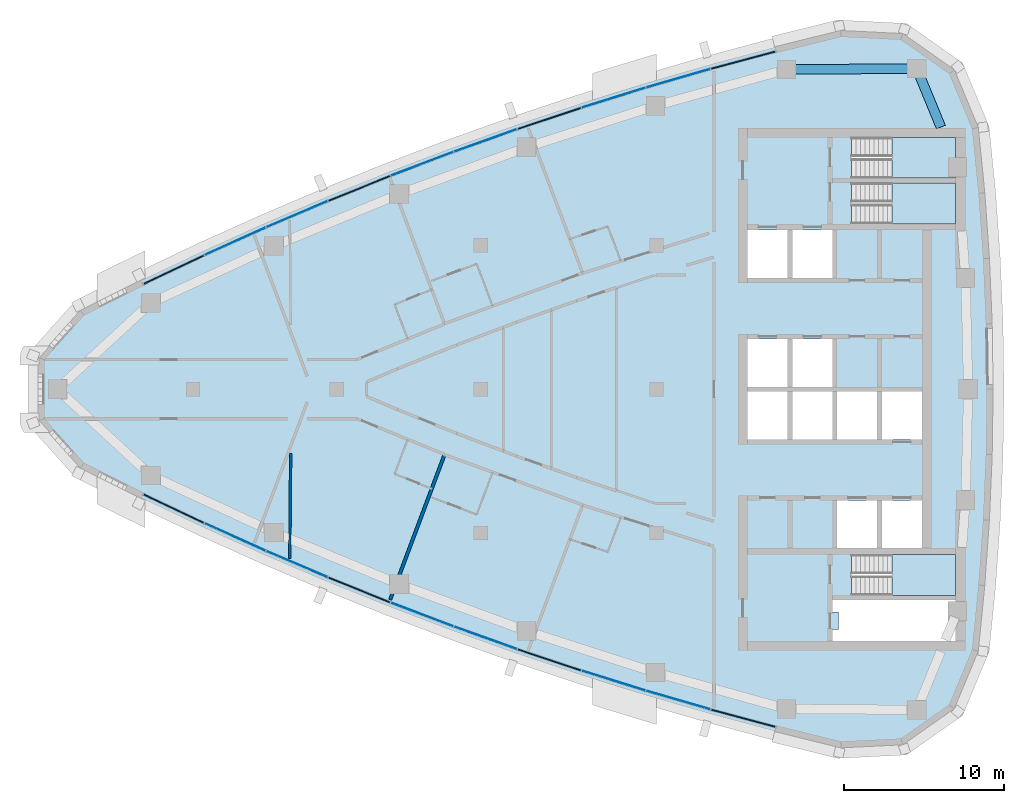
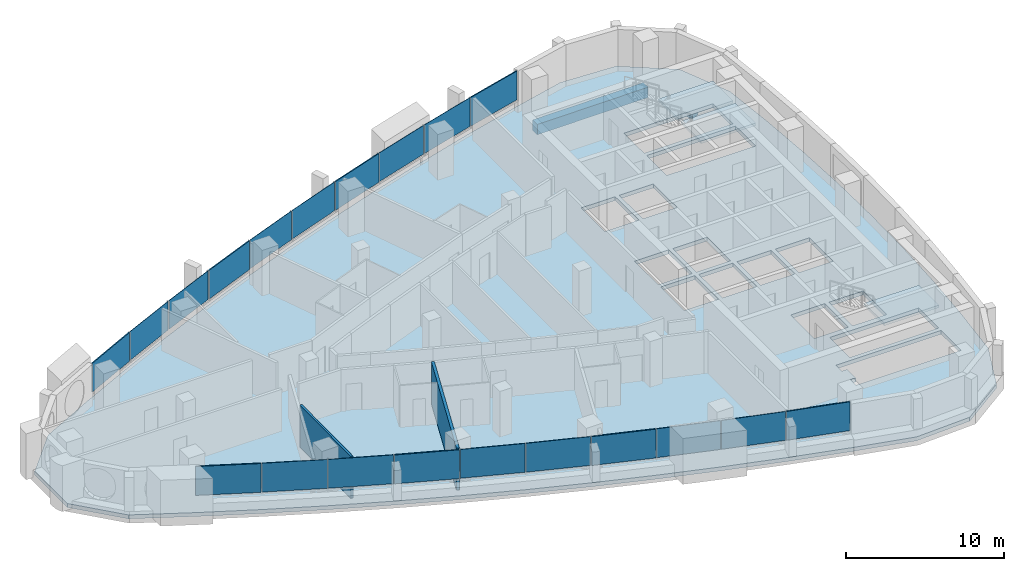
# One storey, part 7 of 15: 20 plates, 4 slabs, 2 beams, 2 walls, 1 opening, 13 elements without a shape of their own.
"""IFC4 building model written with IfcOpenShell, lengths in metres."""

from ifc_helpers import new_model, si_unit, direction, frame, frame_2d, origin, origin_2d, place, context, subcontext, project, spatial, polyline, rectangle, outline, extrude, material, layer, layer_set, material_profile, profile_set, type_object, element, aggregate, save


model = new_model("IFC4")

# Units and contexts
model_context = context("Model", 3, precision=1e-05, world=origin(), true_north=direction((0.0, 1.0)))
body_context = subcontext(model_context, "Body", "Model", "MODEL_VIEW")
ifc_project = project(units=[si_unit("LENGTHUNIT", "METRE"), si_unit("AREAUNIT", "SQUARE_METRE"), si_unit("VOLUMEUNIT", "CUBIC_METRE"), si_unit("PLANEANGLEUNIT", "RADIAN"), si_unit("MASSUNIT", "GRAM", prefix="KILO")], contexts=[model_context])

# Site, building, storey
site_placement = place(None, origin())
site = spatial("IfcSite", under=ifc_project, at=site_placement, CompositionType="ELEMENT")
building_placement = place(site_placement, origin())
building = spatial("IfcBuilding", under=site, at=building_placement, Name="Ostrand Prow Hotel Tower", CompositionType="ELEMENT")
storey_placement = place(building_placement, frame((0.0, 0.0, 242.10009765625)))
storey = spatial("IfcBuildingStorey", under=building, at=storey_placement, Name="L61", CompositionType="ELEMENT", Elevation=242.10009765625)

# Beams
ifc_material_1 = material(Name="Concrete C50/60", Category="concrete")
ifc_material_profile = material_profile(ifc_material_1, rectangle(XDim=0.60009765625, YDim=0.800048828125, at=origin_2d()), Name="RC 600x800")
ifc_profile_set = profile_set([ifc_material_profile], Name="Concrete C50/60")
beam_type = type_object("IfcBeamType", Name="Edge beam 600x800 C50/60", PredefinedType="SPANDREL", material=ifc_profile_set)
beam_1_placement = place(storey_placement, frame((62.7919921875, 16.39990234375, -0.7001953125), z_axis=(-0.380777709221, 0.924666608114, 0.0), x_axis=(-0.924666608114, -0.380777709221, 0.0)))
element("IfcBeam", 1, at=beam_1_placement, inside=storey, type_object=beam_type, Name="Edge beam B5-NE", PredefinedType="SPANDREL", context=body_context, shape_type="SweptSolid", body=[
    extrude(rectangle(XDim=0.60009765625, YDim=0.800048828125, at=origin_2d()), origin(), (0.0, 0.0, 1.0), 3.96044921875),
])
beam_2_placement = place(storey_placement, frame((61.283935546875, 20.06201171875, -0.7001953125), z_axis=(-0.999970657582, -0.007660546678, 0.0), x_axis=(0.007660546678, -0.999970657582, 0.0)))
element("IfcBeam", 2, at=beam_2_placement, inside=storey, type_object=beam_type, Name="Edge beam NE-N1", PredefinedType="SPANDREL", context=body_context, shape_type="SweptSolid", body=[
    extrude(rectangle(XDim=0.60009765625, YDim=0.800048828125, at=origin_2d()), origin(), (0.0, 0.0, 1.0), 8.15869140625),
])

# Curtain wall, plate
ifc_material_2 = material(Name="Insulated glass in bronze anodised frame", Category="glass")
ifc_layer_1 = layer(ifc_material_2, 0.199951171875)
ifc_layer_set_1 = layer_set([ifc_layer_1], Name="Insulated glass in bronze anodised frame")
curtain_wall_type = type_object("IfcCurtainWallType", Name="Strip curtain wall, fritted glass over bronze spandrel", PredefinedType="NOTDEFINED", material=ifc_layer_set_1)
curtain_wall_1_placement = place(storey_placement, origin())
curtain_wall_1 = element("IfcCurtainWall", 3, at=curtain_wall_1_placement, inside=storey, type_object=curtain_wall_type, Name="CW1 run CWS1", PredefinedType="NOTDEFINED")
ifc_material_3 = material(Name="Ceramic-fritted glass", Category="glass")
ifc_layer_2 = layer(ifc_material_3, 0.031982421875)
ifc_layer_set_2 = layer_set([ifc_layer_2], Name="Ceramic-fritted glass")
plate_type_1 = type_object("IfcPlateType", Name="Dot-fritted ceramic glass unit 32 mm", PredefinedType="CURTAIN_PANEL", material=ifc_layer_set_2)
plate_1_placement = place(storey_placement, frame((18.634521484375, -9.249267578125, 1.02001953125), z_axis=(0.0, 0.0, 1.0), x_axis=(0.911823681514, -0.41058199404, 0.0)))
plate_1 = element("IfcPlate", 4, at=plate_1_placement, type_object=plate_type_1, Name="CW1 PN-D panel 2.2", PredefinedType="CURTAIN_PANEL", context=body_context, shape_type="SweptSolid", body=[
    extrude(rectangle(XDim=4.163818359375, YDim=0.031982421875, at=origin_2d()), origin(), (0.0, 0.0, 1.0), 2.22998046875),
])

curtain_wall_2_placement = place(storey_placement, origin())
curtain_wall_2 = element("IfcCurtainWall", 5, at=curtain_wall_2_placement, inside=storey, type_object=curtain_wall_type, Name="CW1 run CWS2", PredefinedType="NOTDEFINED")
plate_2_placement = place(storey_placement, frame((22.502685546875, -10.944580078125, 1.02001953125), z_axis=(0.0, 0.0, 1.0), x_axis=(0.919907070112, -0.392136433347, 0.0)))
plate_2 = element("IfcPlate", 6, at=plate_2_placement, type_object=plate_type_1, Name="CW1 PN-D panel 1.2", PredefinedType="CURTAIN_PANEL", context=body_context, shape_type="SweptSolid", body=[
    extrude(rectangle(XDim=4.163818359375, YDim=0.031982421875, at=origin_2d()), origin(), (0.0, 0.0, 1.0), 2.22998046875),
])

# Curtain wall, plates
curtain_wall_3_placement = place(storey_placement, origin())
curtain_wall_3 = element("IfcCurtainWall", 7, at=curtain_wall_3_placement, inside=storey, type_object=curtain_wall_type, Name="CW1 run CWS3", PredefinedType="NOTDEFINED")
plate_3_placement = place(storey_placement, frame((30.337890625, -14.099609375, 1.02001953125), z_axis=(0.0, 0.0, 1.0), x_axis=(0.934950813567, -0.354777361469, 0.0)))
plate_3 = element("IfcPlate", 8, at=plate_3_placement, type_object=plate_type_1, Name="CW1 PN-D panel 1.2", PredefinedType="CURTAIN_PANEL", context=body_context, shape_type="SweptSolid", body=[
    extrude(rectangle(XDim=4.163818359375, YDim=0.031982421875, at=origin_2d()), origin(), (0.0, 0.0, 1.0), 2.22998046875),
])
plate_4_placement = place(storey_placement, frame((34.3017578125, -15.55810546875, 1.02001953125), z_axis=(0.0, 0.0, 1.0), x_axis=(0.941905718922, -0.335877383374, 0.0)))
plate_4 = element("IfcPlate", 9, at=plate_4_placement, type_object=plate_type_1, Name="CW1 PN-D panel 2.2", PredefinedType="CURTAIN_PANEL", context=body_context, shape_type="SweptSolid", body=[
    extrude(rectangle(XDim=4.163818359375, YDim=0.031982421875, at=origin_2d()), origin(), (0.0, 0.0, 1.0), 2.22998046875),
])
aggregate(curtain_wall_3, [plate_3, plate_4])

# Curtain wall, plate
curtain_wall_4_placement = place(storey_placement, origin())
curtain_wall_4 = element("IfcCurtainWall", 10, at=curtain_wall_4_placement, inside=storey, type_object=curtain_wall_type, Name="CW1 run CWS4", PredefinedType="NOTDEFINED")
plate_5_placement = place(storey_placement, frame((42.31298828125, -18.234375, 1.02001953125), z_axis=(0.0, 0.0, 1.0), x_axis=(0.95466629023, -0.297678138765, 0.0)))
plate_5 = element("IfcPlate", 11, at=plate_5_placement, type_object=plate_type_1, Name="CW1 PN-D panel 2.2", PredefinedType="CURTAIN_PANEL", context=body_context, shape_type="SweptSolid", body=[
    extrude(rectangle(XDim=4.163818359375, YDim=0.031982421875, at=origin_2d()), origin(), (0.0, 0.0, 1.0), 2.22998046875),
])

curtain_wall_5_placement = place(storey_placement, origin())
curtain_wall_5 = element("IfcCurtainWall", 12, at=curtain_wall_5_placement, inside=storey, type_object=curtain_wall_type, Name="CW1 run CWS5", PredefinedType="NOTDEFINED")
plate_6_placement = place(storey_placement, frame((46.357666015625, -19.450927734375, 1.02001953125), z_axis=(0.0, 0.0, 1.0), x_axis=(0.960467333745, -0.27839270969, 0.0)))
plate_6 = element("IfcPlate", 13, at=plate_6_placement, type_object=plate_type_1, Name="CW1 PN-D panel 1.2", PredefinedType="CURTAIN_PANEL", context=body_context, shape_type="SweptSolid", body=[
    extrude(rectangle(XDim=4.163818359375, YDim=0.031982421875, at=origin_2d()), origin(), (0.0, 0.0, 1.0), 2.22998046875),
])

curtain_wall_6_placement = place(storey_placement, origin())
curtain_wall_6 = element("IfcCurtainWall", 14, at=curtain_wall_6_placement, inside=storey, type_object=curtain_wall_type, Name="CW1 run CWN1", PredefinedType="NOTDEFINED")
plate_7_placement = place(storey_placement, frame((46.357666015625, 19.450927734375, 1.02001953125), z_axis=(0.0, 0.0, 1.0), x_axis=(-0.960467333745, -0.27839270969, 0.0)))
plate_7 = element("IfcPlate", 15, at=plate_7_placement, type_object=plate_type_1, Name="CW1 PN-D panel 2.2", PredefinedType="CURTAIN_PANEL", context=body_context, shape_type="SweptSolid", body=[
    extrude(rectangle(XDim=4.163818359375, YDim=0.031982421875, at=origin_2d()), origin(), (0.0, 0.0, 1.0), 2.22998046875),
])

curtain_wall_7_placement = place(storey_placement, origin())
curtain_wall_7 = element("IfcCurtainWall", 16, at=curtain_wall_7_placement, inside=storey, type_object=curtain_wall_type, Name="CW1 run CWN2", PredefinedType="NOTDEFINED")
plate_8_placement = place(storey_placement, frame((42.31298828125, 18.234375, 1.02001953125), z_axis=(0.0, 0.0, 1.0), x_axis=(-0.95466629023, -0.297678138765, 0.0)))
plate_8 = element("IfcPlate", 17, at=plate_8_placement, type_object=plate_type_1, Name="CW1 PN-D panel 1.2", PredefinedType="CURTAIN_PANEL", context=body_context, shape_type="SweptSolid", body=[
    extrude(rectangle(XDim=4.163818359375, YDim=0.031982421875, at=origin_2d()), origin(), (0.0, 0.0, 1.0), 2.22998046875),
])

# Curtain wall, plates
curtain_wall_8_placement = place(storey_placement, origin())
curtain_wall_8 = element("IfcCurtainWall", 18, at=curtain_wall_8_placement, inside=storey, type_object=curtain_wall_type, Name="CW1 run CWN3", PredefinedType="NOTDEFINED")
plate_9_placement = place(storey_placement, frame((34.3017578125, 15.55810546875, 1.02001953125), z_axis=(0.0, 0.0, 1.0), x_axis=(-0.941905718922, -0.335877383374, 0.0)))
plate_9 = element("IfcPlate", 19, at=plate_9_placement, type_object=plate_type_1, Name="CW1 PN-D panel 1.2", PredefinedType="CURTAIN_PANEL", context=body_context, shape_type="SweptSolid", body=[
    extrude(rectangle(XDim=4.163818359375, YDim=0.031982421875, at=origin_2d()), origin(), (0.0, 0.0, 1.0), 2.22998046875),
])
plate_10_placement = place(storey_placement, frame((30.337890625, 14.099609375, 1.02001953125), z_axis=(0.0, 0.0, 1.0), x_axis=(-0.934950813567, -0.354777361469, 0.0)))
plate_10 = element("IfcPlate", 20, at=plate_10_placement, type_object=plate_type_1, Name="CW1 PN-D panel 2.2", PredefinedType="CURTAIN_PANEL", context=body_context, shape_type="SweptSolid", body=[
    extrude(rectangle(XDim=4.163818359375, YDim=0.031982421875, at=origin_2d()), origin(), (0.0, 0.0, 1.0), 2.22998046875),
])
aggregate(curtain_wall_8, [plate_9, plate_10])

# Curtain wall, plate
curtain_wall_9_placement = place(storey_placement, origin())
curtain_wall_9 = element("IfcCurtainWall", 21, at=curtain_wall_9_placement, inside=storey, type_object=curtain_wall_type, Name="CW1 run CWN4", PredefinedType="NOTDEFINED")
plate_11_placement = place(storey_placement, frame((22.502685546875, 10.944580078125, 1.02001953125), z_axis=(0.0, 0.0, 1.0), x_axis=(-0.919907070112, -0.392136433347, 0.0)))
plate_11 = element("IfcPlate", 22, at=plate_11_placement, type_object=plate_type_1, Name="CW1 PN-D panel 2.2", PredefinedType="CURTAIN_PANEL", context=body_context, shape_type="SweptSolid", body=[
    extrude(rectangle(XDim=4.163818359375, YDim=0.031982421875, at=origin_2d()), origin(), (0.0, 0.0, 1.0), 2.22998046875),
])

curtain_wall_10_placement = place(storey_placement, origin())
curtain_wall_10 = element("IfcCurtainWall", 23, at=curtain_wall_10_placement, inside=storey, type_object=curtain_wall_type, Name="CW1 run CWN5", PredefinedType="NOTDEFINED")
plate_12_placement = place(storey_placement, frame((18.634521484375, 9.249267578125, 1.02001953125), z_axis=(0.0, 0.0, 1.0), x_axis=(-0.911823681514, -0.41058199404, 0.0)))
plate_12 = element("IfcPlate", 24, at=plate_12_placement, type_object=plate_type_1, Name="CW1 PN-D panel 1.2", PredefinedType="CURTAIN_PANEL", context=body_context, shape_type="SweptSolid", body=[
    extrude(rectangle(XDim=4.163818359375, YDim=0.031982421875, at=origin_2d()), origin(), (0.0, 0.0, 1.0), 2.22998046875),
])

# Plate
ifc_material_4 = material(Name="Fritted glass in bronze vent frame", Category="glass")
ifc_layer_3 = layer(ifc_material_4, 0.080078125)
ifc_layer_set_3 = layer_set([ifc_layer_3], Name="Fritted glass in bronze vent frame")
plate_type_2 = type_object("IfcPlateType", Name="Operable vent panel 80 mm", PredefinedType="CURTAIN_PANEL", material=ifc_layer_set_3)
plate_13_placement = place(storey_placement, frame((14.801025390625, -7.4765625, 1.02001953125), z_axis=(0.0, 0.0, 1.0), x_axis=(0.903370475577, -0.428861030937, 0.0)))
plate_13 = element("IfcPlate", 25, at=plate_13_placement, type_object=plate_type_2, Name="CW1 PN-O2 panel 1.2", PredefinedType="CURTAIN_PANEL", context=body_context, shape_type="SweptSolid", body=[
    extrude(rectangle(XDim=4.163818359375, YDim=0.080078125, at=origin_2d()), origin(), (0.0, 0.0, 1.0), 2.22998046875),
])

aggregate(curtain_wall_1, [plate_13, plate_1])

plate_14_placement = place(storey_placement, frame((26.404541015625, -12.5615234375, 1.02001953125), z_axis=(0.0, 0.0, 1.0), x_axis=(0.927616710972, -0.373533449004, 0.0)))
plate_14 = element("IfcPlate", 26, at=plate_14_placement, type_object=plate_type_2, Name="CW1 PN-O2 panel 2.2", PredefinedType="CURTAIN_PANEL", context=body_context, shape_type="SweptSolid", body=[
    extrude(rectangle(XDim=4.163818359375, YDim=0.080078125, at=origin_2d()), origin(), (0.0, 0.0, 1.0), 2.22998046875),
])

aggregate(curtain_wall_2, [plate_2, plate_14])

plate_15_placement = place(storey_placement, frame((38.2939453125, -16.9365234375, 1.02001953125), z_axis=(0.0, 0.0, 1.0), x_axis=(0.948478606268, -0.31684118017, 0.0)))
plate_15 = element("IfcPlate", 27, at=plate_15_placement, type_object=plate_type_2, Name="CW1 PN-O2 panel 1.2", PredefinedType="CURTAIN_PANEL", context=body_context, shape_type="SweptSolid", body=[
    extrude(rectangle(XDim=4.163818359375, YDim=0.080078125, at=origin_2d()), origin(), (0.0, 0.0, 1.0), 2.22998046875),
])

aggregate(curtain_wall_4, [plate_15, plate_5])

plate_16_placement = place(storey_placement, frame((50.42578125, -20.5859375, 1.02001953125), z_axis=(0.0, 0.0, 1.0), x_axis=(0.965878831034, -0.258994370132, 0.0)))
plate_16 = element("IfcPlate", 28, at=plate_16_placement, type_object=plate_type_2, Name="CW1 PN-O2 panel 2.2", PredefinedType="CURTAIN_PANEL", context=body_context, shape_type="SweptSolid", body=[
    extrude(rectangle(XDim=4.163818359375, YDim=0.080078125, at=origin_2d()), origin(), (0.0, 0.0, 1.0), 2.22998046875),
])

aggregate(curtain_wall_5, [plate_6, plate_16])

plate_17_placement = place(storey_placement, frame((50.42578125, 20.5859375, 1.02001953125), z_axis=(0.0, 0.0, 1.0), x_axis=(-0.965878831034, -0.258994370132, 0.0)))
plate_17 = element("IfcPlate", 29, at=plate_17_placement, type_object=plate_type_2, Name="CW1 PN-O2 panel 1.2", PredefinedType="CURTAIN_PANEL", context=body_context, shape_type="SweptSolid", body=[
    extrude(rectangle(XDim=4.163818359375, YDim=0.080078125, at=origin_2d()), origin(), (0.0, 0.0, 1.0), 2.22998046875),
])

aggregate(curtain_wall_6, [plate_17, plate_7])

plate_18_placement = place(storey_placement, frame((38.2939453125, 16.9365234375, 1.02001953125), z_axis=(0.0, 0.0, 1.0), x_axis=(-0.948478606268, -0.31684118017, 0.0)))
plate_18 = element("IfcPlate", 30, at=plate_18_placement, type_object=plate_type_2, Name="CW1 PN-O2 panel 2.2", PredefinedType="CURTAIN_PANEL", context=body_context, shape_type="SweptSolid", body=[
    extrude(rectangle(XDim=4.163818359375, YDim=0.080078125, at=origin_2d()), origin(), (0.0, 0.0, 1.0), 2.22998046875),
])

aggregate(curtain_wall_7, [plate_8, plate_18])

plate_19_placement = place(storey_placement, frame((26.404541015625, 12.5615234375, 1.02001953125), z_axis=(0.0, 0.0, 1.0), x_axis=(-0.927616710972, -0.373533449004, 0.0)))
plate_19 = element("IfcPlate", 31, at=plate_19_placement, type_object=plate_type_2, Name="CW1 PN-O2 panel 1.2", PredefinedType="CURTAIN_PANEL", context=body_context, shape_type="SweptSolid", body=[
    extrude(rectangle(XDim=4.163818359375, YDim=0.080078125, at=origin_2d()), origin(), (0.0, 0.0, 1.0), 2.22998046875),
])

aggregate(curtain_wall_9, [plate_19, plate_11])

plate_20_placement = place(storey_placement, frame((14.801025390625, 7.4765625, 1.02001953125), z_axis=(0.0, 0.0, 1.0), x_axis=(-0.903370475577, -0.428861030937, 0.0)))
plate_20 = element("IfcPlate", 32, at=plate_20_placement, type_object=plate_type_2, Name="CW1 PN-O2 panel 2.2", PredefinedType="CURTAIN_PANEL", context=body_context, shape_type="SweptSolid", body=[
    extrude(rectangle(XDim=4.163818359375, YDim=0.080078125, at=origin_2d()), origin(), (0.0, 0.0, 1.0), 2.22998046875),
])

aggregate(curtain_wall_10, [plate_12, plate_20])

# Slab, opening
ifc_material_5 = material(Name="Concrete C40/50", Category="concrete")
ifc_layer_4 = layer(ifc_material_5, 0.300048828125)
ifc_layer_set_4 = layer_set([ifc_layer_4], Name="Concrete C40/50")
slab_type_1 = type_object("IfcSlabType", Name="PT flat plate 300 C40/50", PredefinedType="FLOOR", material=ifc_layer_set_4)
slab_1_placement = place(storey_placement, frame((0.0, 0.0, -0.300048828125)))
slab_1 = element("IfcSlab", 33, at=slab_1_placement, inside=storey, type_object=slab_type_1, Name="Floor slab L61-1", PredefinedType="FLOOR", context=body_context, shape_type="SweptSolid", body=[
    extrude(outline(polyline([(8.85205078125, 5.097412109375), (12.679443359375, 7.009765625), (16.50390625, 8.825439453125), (20.364013671875, 10.563720703125), (24.258544921875, 12.223876953125), (28.185791015625, 13.80517578125), (32.143798828125, 15.30712890625), (36.131591796875, 16.72900390625), (40.14697265625, 18.0703125), (44.188720703125, 19.330810546875), (48.2548828125, 20.50927734375), (52.343994140625, 21.605712890625), (56.4873046875, 22.627685546875), (60.48193359375, 22.4287109375), (63.7822265625, 20.107177734375), (65.320068359375, 16.414794921875), (65.728515625, 12.29736328125), (66.018310546875, 8.20361328125), (66.19189453125, 4.103515625), (66.25, 0.0), (66.19189453125, -4.103515625), (66.018310546875, -8.20361328125), (65.728515625, -12.29736328125), (65.320068359375, -16.414794921875), (63.7822265625, -20.107177734375), (60.48193359375, -22.4287109375), (56.4873046875, -22.627685546875), (52.343994140625, -21.605712890625), (48.2548828125, -20.50927734375), (44.188720703125, -19.330810546875), (40.14697265625, -18.0703125), (36.131591796875, -16.72900390625), (32.143798828125, -15.30712890625), (28.185791015625, -13.80517578125), (24.258544921875, -12.223876953125), (20.364013671875, -10.563720703125), (16.50390625, -8.825439453125), (12.679443359375, -7.009765625), (8.85205078125, -5.097412109375), (6.127685546875, -2.06298828125), (6.127685546875, 2.06298828125), (8.85205078125, 5.097412109375)]), holes=[polyline([(50.699951171875, 6.949951171875), (53.199951171875, 6.949951171875), (53.199951171875, 9.949951171875), (50.699951171875, 9.949951171875), (50.699951171875, 6.949951171875)]), polyline([(53.5, 6.949951171875), (56.0, 6.949951171875), (56.0, 9.949951171875), (53.5, 9.949951171875), (53.5, 6.949951171875)]), polyline([(50.699951171875, 0.14990234375), (53.199951171875, 0.14990234375), (53.199951171875, 3.14990234375), (50.699951171875, 3.14990234375), (50.699951171875, 0.14990234375)]), polyline([(53.5, 0.14990234375), (56.0, 0.14990234375), (56.0, 3.14990234375), (53.5, 3.14990234375), (53.5, 0.14990234375)]), polyline([(50.699951171875, -3.14990234375), (53.199951171875, -3.14990234375), (53.199951171875, -0.14990234375), (50.699951171875, -0.14990234375), (50.699951171875, -3.14990234375)]), polyline([(53.5, -3.14990234375), (56.0, -3.14990234375), (56.0, -0.14990234375), (53.5, -0.14990234375), (53.5, -3.14990234375)]), polyline([(56.300048828125, -3.14990234375), (58.800048828125, -3.14990234375), (58.800048828125, -0.14990234375), (56.300048828125, -0.14990234375), (56.300048828125, -3.14990234375)]), polyline([(59.10009765625, -3.14990234375), (61.60009765625, -3.14990234375), (61.60009765625, -0.14990234375), (59.10009765625, -0.14990234375), (59.10009765625, -3.14990234375)]), polyline([(56.300048828125, -9.949951171875), (58.800048828125, -9.949951171875), (58.800048828125, -6.949951171875), (56.300048828125, -6.949951171875), (56.300048828125, -9.949951171875)]), polyline([(59.10009765625, -9.949951171875), (61.60009765625, -9.949951171875), (61.60009765625, -6.949951171875), (59.10009765625, -6.949951171875), (59.10009765625, -9.949951171875)]), polyline([(57.200927734375, 10.35107421875), (57.200927734375, 12.89892578125), (63.718994140625, 12.89892578125), (63.718994140625, 10.35107421875), (57.200927734375, 10.35107421875)]), polyline([(57.200927734375, 13.200927734375), (57.200927734375, 15.7490234375), (63.718994140625, 15.7490234375), (63.718994140625, 13.200927734375), (57.200927734375, 13.200927734375)]), polyline([(57.200927734375, -12.89892578125), (57.200927734375, -10.35107421875), (63.718994140625, -10.35107421875), (63.718994140625, -12.89892578125), (57.200927734375, -12.89892578125)]), polyline([(56.0, -13.949951171875), (56.0, -13.199951171875), (63.719970703125, -13.199951171875), (63.719970703125, -15.75), (56.0, -15.75), (56.0, -15.050048828125), (56.39990234375, -15.050048828125), (56.39990234375, -13.949951171875), (56.0, -13.949951171875)])]), origin(), (0.0, 0.0, 1.0), 0.300048828125),
])
opening_placement = place(slab_1_placement, origin())
element("IfcOpeningElement", 34, at=opening_placement, cuts=slab_1, Name="Shaft opening 1", PredefinedType="OPENING", context=body_context, shape_type="SweptSolid", body=[
    extrude(outline(polyline([(56.0, -13.949951171875), (56.0, -13.199951171875), (63.719970703125, -13.199951171875), (63.719970703125, -15.75), (56.0, -15.75), (56.0, -15.050048828125), (56.39990234375, -15.050048828125), (56.39990234375, -13.949951171875), (56.0, -13.949951171875)])), origin(), (0.0, 0.0, 1.0), 0.300048828125),
])

# Stair, slab
ifc_material_6 = material(Name="Concrete C40/50", Category="concrete")
stair_type = type_object("IfcStairType", Name="Exit stair 1200 upper zone", PredefinedType="HALF_TURN_STAIR", material=ifc_material_6)
stair_1_placement = place(storey_placement, origin())
stair_1 = element("IfcStair", 35, at=stair_1_placement, inside=storey, type_object=stair_type, Name="L61 ST1C", PredefinedType="HALF_TURN_STAIR")
ifc_material_7 = material(Name="Concrete C40/50", Category="concrete")
ifc_layer_5 = layer(ifc_material_7, 0.199951171875)
ifc_layer_set_5 = layer_set([ifc_layer_5], Name="Concrete C40/50")
slab_type_2 = type_object("IfcSlabType", Name="Stair landing 200 concrete", PredefinedType="LANDING", material=ifc_layer_set_5)
slab_2_placement = place(storey_placement, frame((0.0, 0.0, 1.574951171875)))
slab_2 = element("IfcSlab", 36, at=slab_2_placement, type_object=slab_type_2, Name="ST1C landing 1", PredefinedType="LANDING", context=body_context, shape_type="SweptSolid", body=[
    extrude(outline(polyline([(59.719970703125, 10.35009765625), (63.719970703125, 10.35009765625), (63.719970703125, 12.89990234375), (59.719970703125, 12.89990234375), (59.719970703125, 10.35009765625)])), origin(), (0.0, 0.0, 1.0), 0.199951171875),
])
aggregate(stair_1, [slab_2])

stair_2_placement = place(storey_placement, origin())
stair_2 = element("IfcStair", 37, at=stair_2_placement, inside=storey, type_object=stair_type, Name="L61 ST3C", PredefinedType="HALF_TURN_STAIR")
slab_3_placement = place(storey_placement, frame((0.0, 0.0, 1.574951171875)))
slab_3 = element("IfcSlab", 38, at=slab_3_placement, type_object=slab_type_2, Name="ST3C landing 1", PredefinedType="LANDING", context=body_context, shape_type="SweptSolid", body=[
    extrude(outline(polyline([(59.719970703125, 13.199951171875), (63.719970703125, 13.199951171875), (63.719970703125, 15.75), (59.719970703125, 15.75), (59.719970703125, 13.199951171875)])), origin(), (0.0, 0.0, 1.0), 0.199951171875),
])
aggregate(stair_2, [slab_3])

stair_3_placement = place(storey_placement, origin())
stair_3 = element("IfcStair", 39, at=stair_3_placement, inside=storey, type_object=stair_type, Name="L61 ST2C", PredefinedType="HALF_TURN_STAIR")
slab_4_placement = place(storey_placement, frame((0.0, 0.0, 1.574951171875)))
slab_4 = element("IfcSlab", 40, at=slab_4_placement, type_object=slab_type_2, Name="ST2C landing 1", PredefinedType="LANDING", context=body_context, shape_type="SweptSolid", body=[
    extrude(outline(polyline([(59.719970703125, -12.89990234375), (63.719970703125, -12.89990234375), (63.719970703125, -10.35009765625), (59.719970703125, -10.35009765625), (59.719970703125, -12.89990234375)])), origin(), (0.0, 0.0, 1.0), 0.199951171875),
])
aggregate(stair_3, [slab_4])

# Walls
ifc_material_8 = material(Name="Plasterboard partition")
ifc_layer_6 = layer(ifc_material_8, 0.14990234375)
ifc_layer_set_6 = layer_set([ifc_layer_6], Name="Plasterboard partition")
wall_type_1 = type_object("IfcWallType", Name="Partition 150 room partition", PredefinedType="PARTITIONING", material=ifc_layer_set_6)
wall_1_placement = place(storey_placement, frame((22.1123046875, -4.022705078125, 0.0), z_axis=(0.0, 0.0, 1.0), x_axis=(-0.008379594055, -0.999964890585, 0.0)))
element("IfcWall", 41, at=wall_1_placement, inside=storey, type_object=wall_type_1, Name="ROOM PARTITION", PredefinedType="PARTITIONING", context=body_context, shape_type="SweptSolid", body=[
    extrude(rectangle(XDim=6.555419921875, YDim=0.14990234375, at=frame_2d((3.27783203125, 0.0))), origin(), (0.0, 0.0, 1.0), 3.25),
])
ifc_material_9 = material(Name="Plasterboard partition")
ifc_layer_7 = layer(ifc_material_9, 0.199951171875)
ifc_layer_set_7 = layer_set([ifc_layer_7], Name="Plasterboard partition")
wall_type_2 = type_object("IfcWallType", Name="Partition 200 key partition", PredefinedType="PARTITIONING", material=ifc_layer_set_7)
wall_2_placement = place(storey_placement, frame((28.33837890625, -13.166015625, 0.0), z_axis=(0.0, 0.0, 1.0), x_axis=(0.351126198992, 0.936328143538, 0.0)))
element("IfcWall", 42, at=wall_2_placement, inside=storey, type_object=wall_type_2, Name="KEY PARTITION", PredefinedType="PARTITIONING", context=body_context, shape_type="SweptSolid", body=[
    extrude(rectangle(XDim=9.703125, YDim=0.199951171875, at=frame_2d((4.8515625, 0.0))), origin(), (0.0, 0.0, 1.0), 3.25),
])

save(model, "model.ifc")
